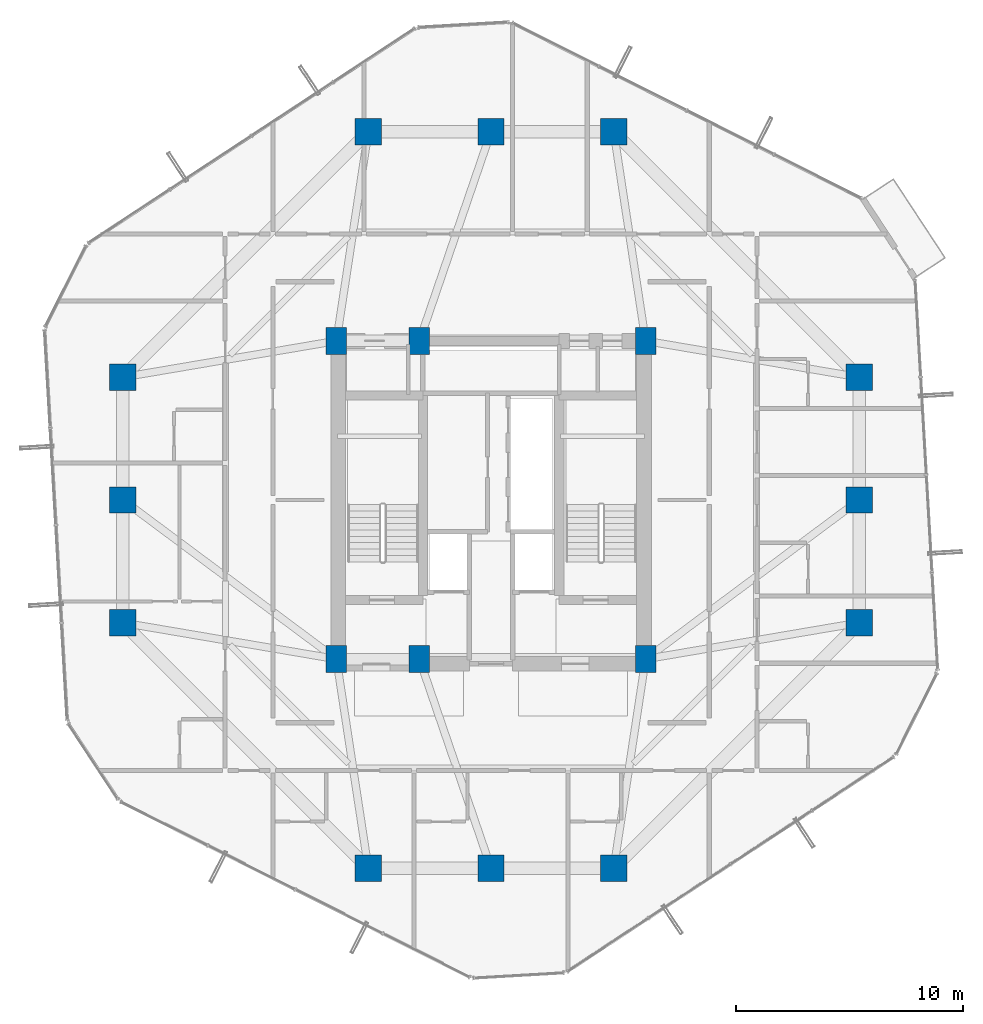
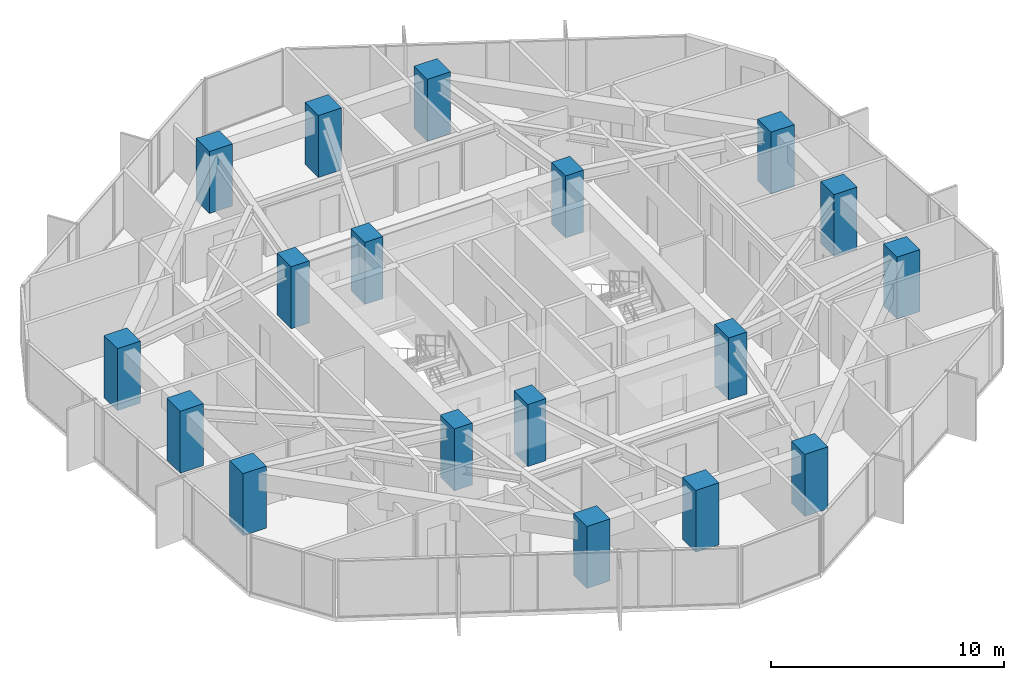
# One storey, part 1 of 33: 18 columns.
"""IFC4 building model written with IfcOpenShell, lengths in metres."""

import ifcopenshell
import ifcopenshell.guid

model = None  # the IFC model being written
_history = None  # IfcOwnerHistory: only IFC2X3 demands one
_inside = {}  # id of a spatial element -> (the spatial element, [elements in it])
_under = {}  # id of a project, library or spatial element -> (it, [spatial elements below it])
_declared = {}  # id of a project -> (the project, [libraries it declares])
_typed = {}  # id of a type object -> (the type object, [elements of that type])
_made_of = {}  # id of a material, layer set ... -> (it, [elements and type objects made of it])


def new_model(schema):
    """Start an empty IFC model of exactly this schema.

    Asked for "IFC4X3", IfcOpenShell would pick the latest addendum, in which some entities
    have other attributes; the version numbers below select the first issue.
    IFC2X3 requires an IfcOwnerHistory on every rooted entity: one is made here for all.
    """
    global model, _history
    if schema == "IFC4X3":
        model = ifcopenshell.file(schema_version=(4, 3, 0, 0))
    else:
        model = ifcopenshell.file(schema=schema)
    _inside.clear()
    _under.clear()
    _declared.clear()
    _typed.clear()
    _made_of.clear()
    _history = None
    if model.schema == "IFC2X3":
        org = make("IfcOrganization", Name="unknown")
        user = make(
            "IfcPersonAndOrganization",
            ThePerson=make("IfcPerson", FamilyName="unknown"),
            TheOrganization=org,
        )
        app = make(
            "IfcApplication",
            ApplicationDeveloper=org,
            Version="unknown",
            ApplicationFullName="unknown",
            ApplicationIdentifier="unknown",
        )
        _history = make(
            "IfcOwnerHistory",
            OwningUser=user,
            OwningApplication=app,
            ChangeAction="ADDED",
            CreationDate=0,
        )
    return model


def make(cls, **values):
    """One entity of the class cls with the attributes given. An attribute that is None is left unset."""
    return model.create_entity(
        cls, **{name: value for name, value in values.items() if value is not None}
    )


def rooted(cls, **values):
    """An entity with a GlobalId (a new one), such as an element, a storey or a relation."""
    return make(cls, GlobalId=ifcopenshell.guid.new(), OwnerHistory=_history, **values)


def si_unit(unit_type, name, prefix=None):
    """IfcSIUnit, for example si_unit("LENGTHUNIT", "METRE", prefix="MILLI")."""
    return make("IfcSIUnit", UnitType=unit_type, Prefix=prefix, Name=name)


def assignment(units):
    """IfcUnitAssignment: the units of a project."""
    return None if units is None else make("IfcUnitAssignment", Units=units)


def point(xyz):
    """IfcCartesianPoint."""
    return None if xyz is None else make("IfcCartesianPoint", Coordinates=xyz)


def direction(xyz):
    """IfcDirection."""
    return None if xyz is None else make("IfcDirection", DirectionRatios=xyz)


def frame(location, z_axis=None, x_axis=None):
    """IfcAxis2Placement3D, a coordinate frame: its origin and axes. An axis left out is left unset."""
    return make(
        "IfcAxis2Placement3D",
        Location=point(location),
        Axis=direction(z_axis),
        RefDirection=direction(x_axis),
    )


def frame_2d(location, x_axis=None):
    """IfcAxis2Placement2D, a coordinate frame in the plane: its origin and x axis."""
    return make(
        "IfcAxis2Placement2D", Location=point(location), RefDirection=direction(x_axis)
    )


def origin():
    """The frame at (0, 0, 0) with its axes left unset."""
    return frame((0.0, 0.0, 0.0))


def origin_2d():
    """The frame at (0, 0) in the plane with its x axis left unset."""
    return frame_2d((0.0, 0.0))


def place(relative_to, where):
    """IfcLocalPlacement: puts the frame where relative to a parent placement (None: the world)."""
    return make(
        "IfcLocalPlacement", PlacementRelTo=relative_to, RelativePlacement=where
    )


def context(
    kind, dimensions, precision=None, world=None, true_north=None, identifier=None
):
    """IfcGeometricRepresentationContext, for example the 3D "Model" context."""
    return make(
        "IfcGeometricRepresentationContext",
        ContextIdentifier=identifier,
        ContextType=kind,
        CoordinateSpaceDimension=dimensions,
        Precision=precision,
        WorldCoordinateSystem=world,
        TrueNorth=true_north,
    )


def subcontext(parent, identifier, kind, view, scale=None):
    """IfcGeometricRepresentationSubContext, for example "Body" below "Model"."""
    return make(
        "IfcGeometricRepresentationSubContext",
        ContextIdentifier=identifier,
        ContextType=kind,
        ParentContext=parent,
        TargetScale=scale,
        TargetView=view,
    )


def project(units=None, contexts=None):
    """IfcProject with its units and contexts."""
    return rooted(
        "IfcProject",
        Name="project",
        RepresentationContexts=contexts,
        UnitsInContext=assignment(units),
    )


def spatial(cls, under=None, at=None, **own):
    """A site, building, storey or space (cls), placed at a placement, below another one or the project."""
    s = rooted(cls, ObjectPlacement=at, **own)
    if under is not None:
        _under.setdefault(under.id(), (under, []))[1].append(s)
    return s


def profile(cls, at=None, kind="AREA", **sizes):
    """A parametric profile (cls). Its sizes go by their IFC names, for example OverallWidth=200.0."""
    return make(cls, ProfileType=kind, Position=at, **sizes)


def rectangle(**sizes):
    """IfcRectangleProfileDef."""
    return profile("IfcRectangleProfileDef", **sizes)


def extrude(swept, where, along, depth):
    """IfcExtrudedAreaSolid: the profile swept, set in the frame where, extruded along a direction by depth."""
    return make(
        "IfcExtrudedAreaSolid",
        SweptArea=swept,
        Position=where,
        ExtrudedDirection=direction(along),
        Depth=depth,
    )


def shape(context_of_items, identifier, shape_type, items):
    """IfcShapeRepresentation: the items that make up one representation, for example the "Body"."""
    return make(
        "IfcShapeRepresentation",
        ContextOfItems=context_of_items,
        RepresentationIdentifier=identifier,
        RepresentationType=shape_type,
        Items=items,
    )


def material(Name=None, Category=None):
    """IfcMaterial."""
    return make("IfcMaterial", Name=Name, Category=Category)


def material_profile(
    of_material, cross_section, Name=None, Category=None, Priority=None
):
    """IfcMaterialProfile: a cross section and its material."""
    return make(
        "IfcMaterialProfile",
        Name=Name,
        Material=of_material,
        Profile=cross_section,
        Priority=Priority,
        Category=Category,
    )


def profile_set(profiles, Name=None, composite=None):
    """IfcMaterialProfileSet."""
    return make(
        "IfcMaterialProfileSet",
        Name=Name,
        MaterialProfiles=profiles,
        CompositeProfile=composite,
    )


def made_of(thing, what):
    """Note that an element or type object is made of a material, layer set ...; save() writes the relation."""
    if what is not None:
        _made_of.setdefault(what.id(), (what, []))[1].append(thing)
    return thing


def type_object(cls, material=None, **own):
    """A type object (cls), such as IfcWallType, which elements share."""
    return made_of(rooted(cls, **own), material)


def element(
    cls,
    number,
    at=None,
    inside=None,
    cuts=None,
    type_object=None,
    material=None,
    context=None,
    identifier="Body",
    shape_type=None,
    held_by="IfcProductDefinitionShape",
    body=None,
    shapes=None,
    **own,
):
    """One element of the class cls, such as IfcWall. Its Tag is "e" and its number.

    at: its placement. inside: the storey or other place that contains it. cuts: it is an
    opening in that element (IfcRelVoidsElement). A single representation is given by context,
    identifier, shape_type and body (its items); several are given by shapes. held_by: the class
    of the entity that holds the representations. save() writes the other relations.
    """
    e = rooted(cls, Tag="e%d" % number, ObjectPlacement=at, **own)
    if body is not None:
        shapes = [shape(context, identifier, shape_type, body)]
    if shapes is not None:
        e.Representation = make(held_by, Representations=shapes)
    if inside is not None:
        _inside.setdefault(inside.id(), (inside, []))[1].append(e)
    if cuts is not None:
        rooted(
            "IfcRelVoidsElement", RelatingBuildingElement=cuts, RelatedOpeningElement=e
        )
    if type_object is not None:
        _typed.setdefault(type_object.id(), (type_object, []))[1].append(e)
    return made_of(e, material)


def aggregate(whole, parts):
    """IfcRelAggregates: a whole, such as a stair, and the parts it consists of."""
    return rooted("IfcRelAggregates", RelatingObject=whole, RelatedObjects=parts)


def save(model, path):
    """Write the relations noted so far, then the file.

    IfcRelAggregates (storeys below a building ...), IfcRelContainedInSpatialStructure (elements
    in a storey), IfcRelDefinesByType, IfcRelAssociatesMaterial and IfcRelDeclares: one each for
    every whole, place, type object, material and project.
    """
    for whole, parts in _under.values():
        aggregate(whole, parts)
    for where, things in _inside.values():
        rooted(
            "IfcRelContainedInSpatialStructure",
            RelatedElements=things,
            RelatingStructure=where,
        )
    for kind, things in _typed.values():
        rooted("IfcRelDefinesByType", RelatedObjects=things, RelatingType=kind)
    for what, things in _made_of.values():
        rooted("IfcRelAssociatesMaterial", RelatedObjects=things, RelatingMaterial=what)
    for by, libraries in _declared.values():
        rooted("IfcRelDeclares", RelatingContext=by, RelatedDefinitions=libraries)
    model.write(path)


model = new_model("IFC4")

# Units and contexts
model_context = context("Model", 3, precision=1e-05, world=origin(), true_north=direction((0.0, 1.0)))
body_context = subcontext(model_context, "Body", "Model", "MODEL_VIEW")
ifc_project = project(units=[si_unit("LENGTHUNIT", "METRE"), si_unit("AREAUNIT", "SQUARE_METRE"), si_unit("VOLUMEUNIT", "CUBIC_METRE"), si_unit("PLANEANGLEUNIT", "RADIAN"), si_unit("MASSUNIT", "GRAM", prefix="KILO")], contexts=[model_context])

# Site, building, storey
site_placement = place(None, origin())
site = spatial("IfcSite", under=ifc_project, at=site_placement, CompositionType="ELEMENT")
building_placement = place(site_placement, origin())
building = spatial("IfcBuilding", under=site, at=building_placement, Name="Veraguas Prism Commons", CompositionType="ELEMENT")
storey_placement = place(building_placement, frame((0.0, 0.0, 139.25)))
storey = spatial("IfcBuildingStorey", under=building, at=storey_placement, Name="L39", CompositionType="ELEMENT", Elevation=139.25)

# Columns
ifc_material = material(Name="Concrete C60/75", Category="concrete")
ifc_material_profile_1 = material_profile(ifc_material, rectangle(XDim=1.14990234375, YDim=1.14990234375, at=origin_2d()), Name="RC1150X1150")
ifc_profile_set_1 = profile_set([ifc_material_profile_1], Name="Concrete C60/75")
column_type_1 = type_object("IfcColumnType", Name="Column Tube Z2 RC 1150x1150", PredefinedType="COLUMN", material=ifc_profile_set_1)
for number, where, z_axis, x_axis, name in (
    (1, (40.199951171875, 18.60009765625, 0.0), (0.0, 0.0, 1.0), (1.0, 0.0, 0.0), "Tower Perimeter Column L39-TB01"),
    (2, (40.199951171875, 24.0, 0.0), (0.0, 0.0, 1.0), (1.0, 0.0, 0.0), "Tower Perimeter Column L39-TB02"),
    (3, (40.199951171875, 29.39990234375, 0.0), (0.0, 0.0, 1.0), (1.0, 0.0, 0.0), "Tower Perimeter Column L39-TB03"),
    (4, (29.39990234375, 40.199951171875, 0.0), (0.0, 0.0, 1.0), (1.0, 0.0, 0.0), "Tower Perimeter Column L39-TB04"),
    (5, (24.0, 40.199951171875, 0.0), (0.0, 0.0, 1.0), (1.0, 0.0, 0.0), "Tower Perimeter Column L39-TB05"),
    (6, (18.60009765625, 40.199951171875, 0.0), (0.0, 0.0, 1.0), (1.0, 0.0, 0.0), "Tower Perimeter Column L39-TB06"),
    (7, (7.800048828125, 29.39990234375, 0.0), (0.0, 0.0, 1.0), (1.0, 0.0, 0.0), "Tower Perimeter Column L39-TB07"),
    (8, (7.800048828125, 24.0, 0.0), (0.0, 0.0, 1.0), (1.0, 0.0, 0.0), "Tower Perimeter Column L39-TB08"),
    (9, (7.800048828125, 18.60009765625, 0.0), (0.0, 0.0, 1.0), (1.0, 0.0, 0.0), "Tower Perimeter Column L39-TB09"),
    (10, (18.60009765625, 7.800048828125, 0.0), (0.0, 0.0, 1.0), (1.0, 0.0, 0.0), "Tower Perimeter Column L39-TB10"),
    (11, (24.0, 7.800048828125, 0.0), (0.0, 0.0, 1.0), (1.0, 0.0, 0.0), "Tower Perimeter Column L39-TB11"),
    (12, (29.39990234375, 7.800048828125, 0.0), (0.0, 0.0, 1.0), (1.0, 0.0, 0.0), "Tower Perimeter Column L39-TB12"),
):
    element("IfcColumn", number, at=place(storey_placement, frame(where, z_axis=z_axis, x_axis=x_axis)), inside=storey, type_object=column_type_1, Name=name, PredefinedType="COLUMN", context=body_context, shape_type="SweptSolid", body=[
        extrude(rectangle(XDim=1.14990234375, YDim=1.14990234375, at=origin_2d()), origin(), (0.0, 0.0, 1.0), 3.25),
    ])
ifc_material_profile_2 = material_profile(ifc_material, rectangle(XDim=0.89990234375, YDim=1.199951171875, at=origin_2d()), Name="RC900X1200")
ifc_profile_set_2 = profile_set([ifc_material_profile_2], Name="Concrete C60/75")
column_type_2 = type_object("IfcColumnType", Name="Pilaster Core Lower RC 900x1200", PredefinedType="PILASTER", material=ifc_profile_set_2)
for number, where, z_axis, x_axis, name in (
    (13, (17.199951171875, 17.0, 0.0), (0.0, 0.0, 1.0), (1.0, 0.0, 0.0), "Core Pilaster Column L39-CR1"),
    (14, (20.85009765625, 17.0, 0.0), (0.0, 0.0, 1.0), (1.0, 0.0, 0.0), "Core Pilaster Column L39-CR2"),
    (15, (30.800048828125, 17.0, 0.0), (0.0, 0.0, 1.0), (1.0, 0.0, 0.0), "Core Pilaster Column L39-CR3"),
    (16, (17.199951171875, 31.0, 0.0), (0.0, 0.0, 1.0), (1.0, 0.0, 0.0), "Core Pilaster Column L39-CR4"),
    (17, (20.85009765625, 31.0, 0.0), (0.0, 0.0, 1.0), (1.0, 0.0, 0.0), "Core Pilaster Column L39-CR5"),
    (18, (30.800048828125, 31.0, 0.0), (0.0, 0.0, 1.0), (1.0, 0.0, 0.0), "Core Pilaster Column L39-CR6"),
):
    element("IfcColumn", number, at=place(storey_placement, frame(where, z_axis=z_axis, x_axis=x_axis)), inside=storey, type_object=column_type_2, Name=name, PredefinedType="PILASTER", context=body_context, shape_type="SweptSolid", body=[
        extrude(rectangle(XDim=0.89990234375, YDim=1.199951171875, at=origin_2d()), origin(), (0.0, 0.0, 1.0), 3.25),
    ])

save(model, "model.ifc")
